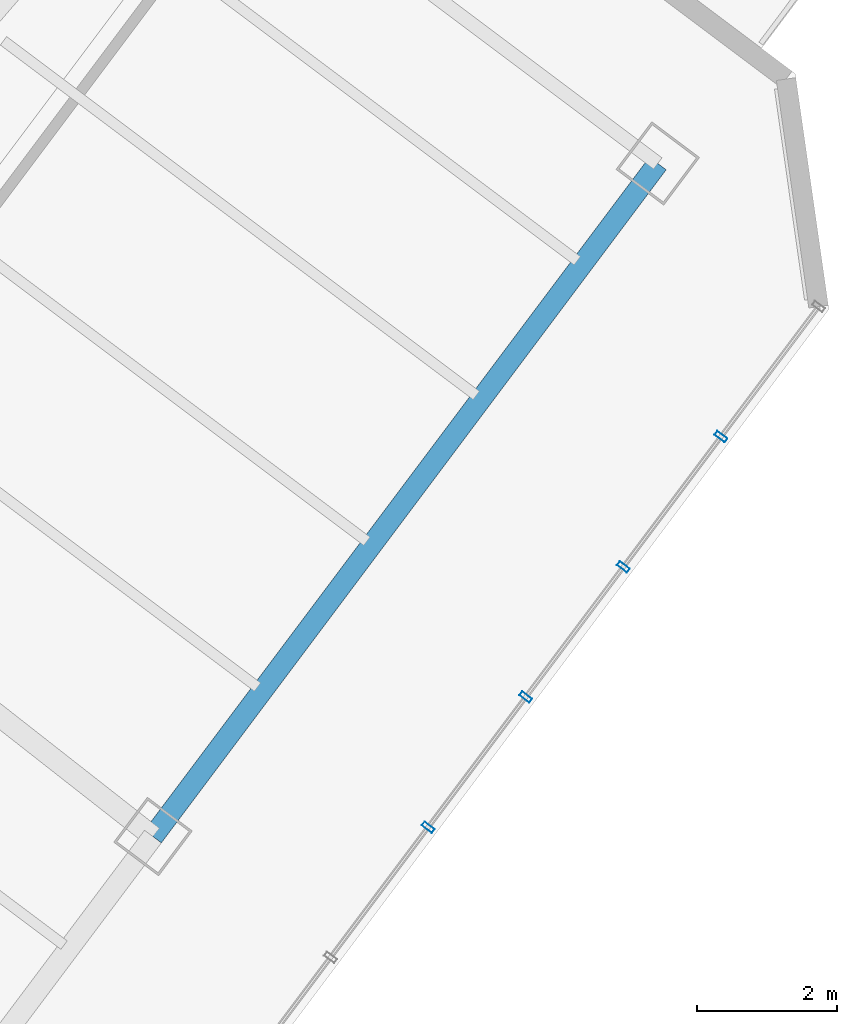
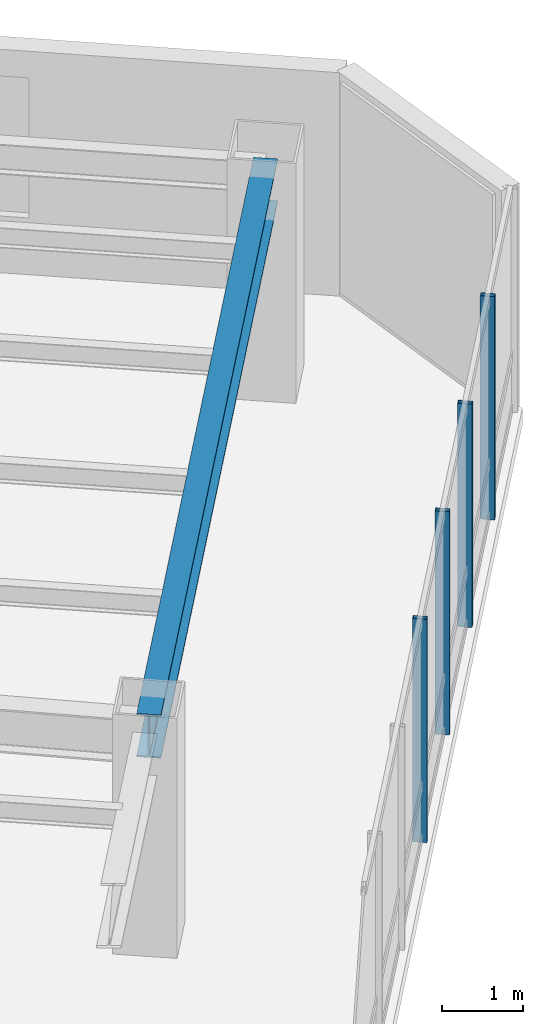
# One storey, part 13 of 26: 4 members, 1 beam, 1 element without a shape of its own.
"""IFC4 building model written with IfcOpenShell, lengths in metres."""

from ifc_helpers import new_model, si_unit, direction, frame, origin, origin_2d, place, context, subcontext, project, spatial, hollow_rectangle, i_section, extrude, material, layer, layer_set, material_profile, profile_set, type_object, element, aggregate, save


model = new_model("IFC4")

# Units and contexts
model_context = context("Model", 3, precision=1e-05, world=origin(), true_north=direction((0.0, 1.0)))
body_context = subcontext(model_context, "Body", "Model", "MODEL_VIEW")
ifc_project = project(units=[si_unit("LENGTHUNIT", "METRE"), si_unit("AREAUNIT", "SQUARE_METRE"), si_unit("VOLUMEUNIT", "CUBIC_METRE"), si_unit("PLANEANGLEUNIT", "RADIAN"), si_unit("MASSUNIT", "GRAM", prefix="KILO")], contexts=[model_context])

# Site, building, storey
site_placement = place(None, origin())
site = spatial("IfcSite", under=ifc_project, at=site_placement, CompositionType="ELEMENT")
building_placement = place(site_placement, origin())
building = spatial("IfcBuilding", under=site, at=building_placement, Name="Hatsunagi Terrace Concourse", CompositionType="ELEMENT")
storey_placement = place(building_placement, frame((0.0, 0.0, 152.85009765625)))
storey = spatial("IfcBuildingStorey", under=building, at=storey_placement, Name="L40", CompositionType="ELEMENT", Elevation=152.85009765625)

# Curtain wall, members
ifc_material_1 = material(Name="Anodised Aluminium Alloy 6063-T5", Category="aluminium")
ifc_layer = layer(ifc_material_1, 0.199951171875)
ifc_layer_set = layer_set([ifc_layer], Name="OfficeZone1_CW03")
curtain_wall_type = type_object("IfcCurtainWallType", Name="OfficeZone1_CW03", PredefinedType="NOTDEFINED", material=ifc_layer_set)
curtain_wall_placement = place(storey_placement, origin())
curtain_wall = element("IfcCurtainWall", 1, at=curtain_wall_placement, inside=storey, type_object=curtain_wall_type, Name="Unitised Curtain Wall CW-03 CW-L40-03", PredefinedType="NOTDEFINED")
ifc_material_2 = material(Name="Anodised Aluminium Alloy 6063-T5", Category="aluminium")
ifc_material_profile_1 = material_profile(ifc_material_2, hollow_rectangle(XDim=0.070068359375, YDim=0.179931640625, WallThickness=0.00390625, at=origin_2d()), Name="ALU-MUL-180x70x4")
ifc_profile_set_1 = profile_set([ifc_material_profile_1], Name="Anodised Aluminium Alloy 6063-T5")
member_type = type_object("IfcMemberType", Name="CurtainWallMullion_180x70", PredefinedType="MULLION", material=ifc_profile_set_1)
member_1_placement = place(storey_placement, frame((59.301025390625, 24.10205078125, 0.0), z_axis=(0.0, 0.0, 1.0), x_axis=(-0.599969314634, -0.800023013105, 0.0)))
member_1 = element("IfcMember", 2, at=member_1_placement, type_object=member_type, Name="Curtain Wall Mullion MUL-02", PredefinedType="MULLION", context=body_context, shape_type="SweptSolid", body=[
    extrude(hollow_rectangle(XDim=0.070068359375, YDim=0.179931640625, WallThickness=0.00390625, at=origin_2d()), origin(), (0.0, 0.0, 1.0), 3.349853515625),
])
member_2_placement = place(storey_placement, frame((57.908935546875, 22.2451171875, 0.0), z_axis=(0.0, 0.0, 1.0), x_axis=(-0.599969314634, -0.800023013105, 0.0)))
member_2 = element("IfcMember", 3, at=member_2_placement, type_object=member_type, Name="Curtain Wall Mullion MUL-02", PredefinedType="MULLION", context=body_context, shape_type="SweptSolid", body=[
    extrude(hollow_rectangle(XDim=0.070068359375, YDim=0.179931640625, WallThickness=0.00390625, at=origin_2d()), origin(), (0.0, 0.0, 1.0), 3.349853515625),
])
member_3_placement = place(storey_placement, frame((56.51611328125, 20.388916015625, 0.0), z_axis=(0.0, 0.0, 1.0), x_axis=(-0.599969314634, -0.800023013105, 0.0)))
member_3 = element("IfcMember", 4, at=member_3_placement, type_object=member_type, Name="Curtain Wall Mullion MUL-02", PredefinedType="MULLION", context=body_context, shape_type="SweptSolid", body=[
    extrude(hollow_rectangle(XDim=0.070068359375, YDim=0.179931640625, WallThickness=0.00390625, at=origin_2d()), origin(), (0.0, 0.0, 1.0), 3.349853515625),
])
member_4_placement = place(storey_placement, frame((55.1240234375, 18.531982421875, 0.0), z_axis=(0.0, 0.0, 1.0), x_axis=(-0.599969314634, -0.800023013105, 0.0)))
member_4 = element("IfcMember", 5, at=member_4_placement, type_object=member_type, Name="Curtain Wall Mullion MUL-02", PredefinedType="MULLION", context=body_context, shape_type="SweptSolid", body=[
    extrude(hollow_rectangle(XDim=0.070068359375, YDim=0.179931640625, WallThickness=0.00390625, at=origin_2d()), origin(), (0.0, 0.0, 1.0), 3.349853515625),
])
aggregate(curtain_wall, [member_1, member_2, member_3, member_4])

# Beam
ifc_material_3 = material(Name="Steel SN490B", Category="steel")
ifc_material_profile_2 = material_profile(ifc_material_3, i_section(OverallWidth=0.300048828125, OverallDepth=0.64990234375, WebThickness=0.012939453125, FlangeThickness=0.02197265625, FilletRadius=0.01806640625, at=origin_2d()), Name="H-650x300x13x22")
ifc_profile_set_2 = profile_set([ifc_material_profile_2], Name="Steel SN490B")
beam_type = type_object("IfcBeamType", Name="OfficeLowGirder_H_650x300", PredefinedType="BEAM", material=ifc_profile_set_2)
beam_placement = place(storey_placement, frame((51.199951171875, 18.39990234375, 3.02490234375), z_axis=(0.59999348959, 0.800004882766, 0.0), x_axis=(-0.800004882766, 0.59999348959, 0.0)))
element("IfcBeam", 6, at=beam_placement, inside=storey, type_object=beam_type, Name="Beam G-05 BM-L40-SET-2B", PredefinedType="BEAM", context=body_context, shape_type="SweptSolid", body=[
    extrude(i_section(OverallWidth=0.300048828125, OverallDepth=0.64990234375, WebThickness=0.012939453125, FlangeThickness=0.02197265625, FilletRadius=0.01806640625, at=origin_2d()), origin(), (0.0, 0.0, 1.0), 12.0),
])

save(model, "model.ifc")
